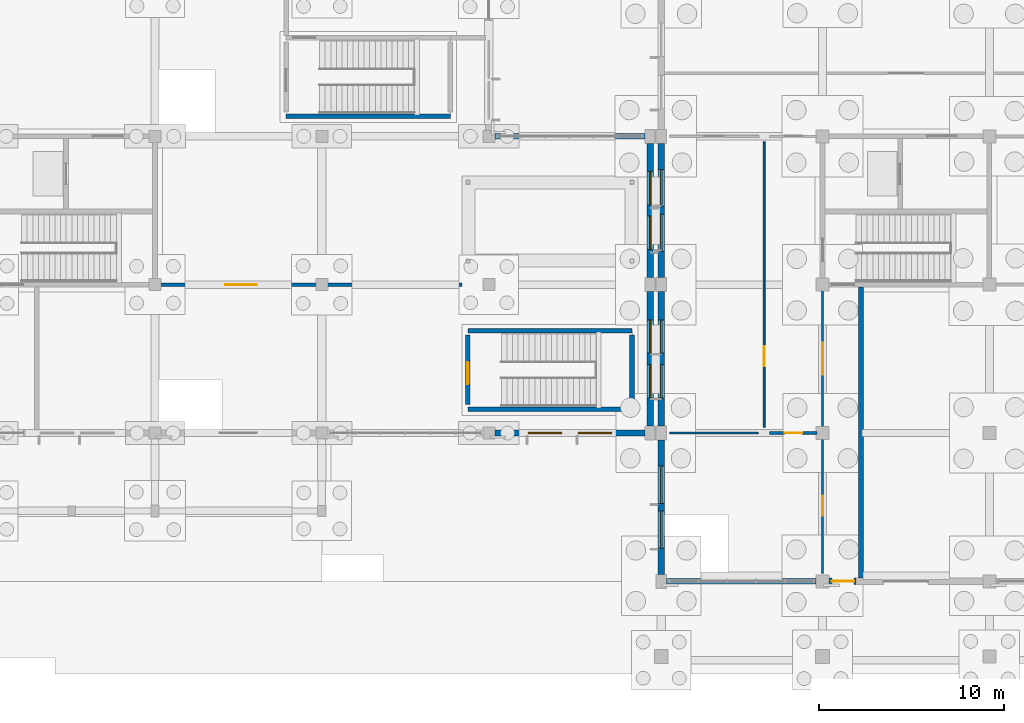
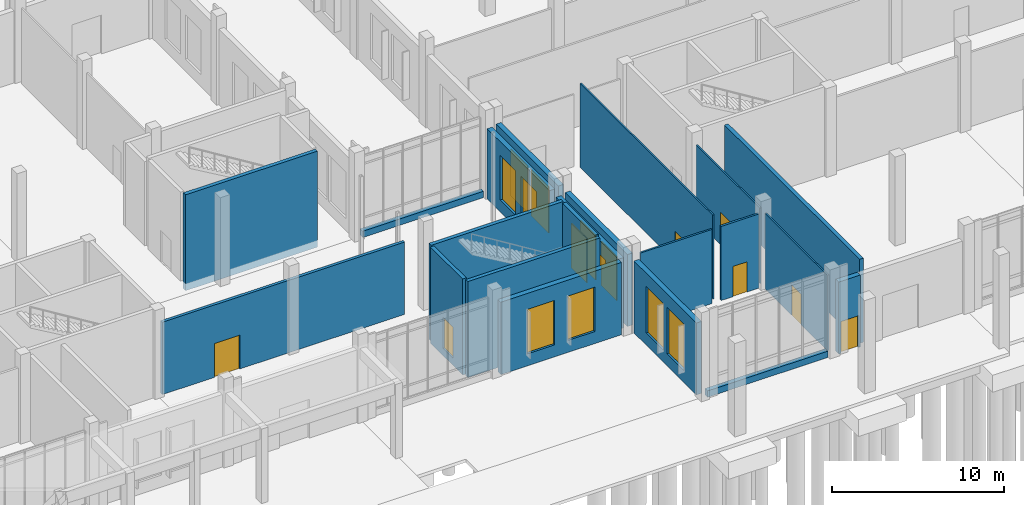
# One storey, part 64 of 99: 21 walls, 12 windows, 7 doors, 19 openings.
"""IFC4 building model written with IfcOpenShell, lengths in metres."""

from ifc_helpers import new_model, si_unit, direction, frame, frame_2d, origin, place, context, subcontext, project, spatial, rectangle, extrude, material, layer, layer_set, type_object, element, fill, save


model = new_model("IFC4")

# Units and contexts
model_context = context("Model", 3, precision=1e-05, world=origin(), true_north=direction((0.0, 1.0)))
body_context = subcontext(model_context, "Body", "Model", "MODEL_VIEW")
ifc_project = project(units=[si_unit("LENGTHUNIT", "METRE"), si_unit("AREAUNIT", "SQUARE_METRE"), si_unit("VOLUMEUNIT", "CUBIC_METRE"), si_unit("PLANEANGLEUNIT", "RADIAN"), si_unit("MASSUNIT", "GRAM", prefix="KILO")], contexts=[model_context])

# Site, building, storey
site_placement = place(None, origin())
site = spatial("IfcSite", under=ifc_project, at=site_placement, CompositionType="ELEMENT")
building_placement = place(site_placement, origin())
building = spatial("IfcBuilding", under=site, at=building_placement, Name="Zacnel Wholesale Market", CompositionType="ELEMENT")
storey_placement = place(building_placement, origin())
storey = spatial("IfcBuildingStorey", under=building, at=storey_placement, Name="L01", CompositionType="ELEMENT", Elevation=0.0)

# Wall, opening, door
ifc_material_1 = material(Name="PIR insulated cold-store panel")
ifc_layer_1 = layer(ifc_material_1, 0.195068359375)
ifc_layer_set_1 = layer_set([ifc_layer_1], Name="PIR insulated cold-store panel")
wall_type_1 = type_object("IfcWallType", Name="WL-COLD-INT195", PredefinedType="STANDARD", material=ifc_layer_set_1)
wall_1_placement = place(storey_placement, frame((117.300048828125, 16.0, 0.0), z_axis=(0.0, 0.0, 1.0), x_axis=(1.0, 0.0, 0.0)))
wall_1 = element("IfcWall", 1, at=wall_1_placement, inside=storey, type_object=wall_type_1, Name="Interior partition L01-0026", PredefinedType="STANDARD", context=body_context, shape_type="SweptSolid", body=[
    extrude(rectangle(XDim=16.25, YDim=0.195068359375, at=frame_2d((8.125, 0.0))), origin(), (0.0, 0.0, 1.0), 5.1298828125),
])
opening_1_placement = place(wall_1_placement, frame((3.5, 0.0, 0.0)))
opening_1 = element("IfcOpeningElement", 2, at=opening_1_placement, cuts=wall_1, Name="Opening CD-02", PredefinedType="OPENING", context=body_context, shape_type="SweptSolid", body=[
    extrude(rectangle(XDim=1.699951171875, YDim=2.39990234375, at=frame_2d((0.85009765625, 1.199951171875))), frame((0.0, 0.107421875, 0.0), z_axis=(0.0, -1.0, 0.0), x_axis=(1.0, 0.0, 0.0)), (0.0, 0.0, 1.0), 0.215087890625),
])
ifc_material_2 = material(Name="Galvanized steel", Category="steel")
door_type_1 = type_object("IfcDoorType", Name="DR-COLD-SLIDE-1700", OperationType="NOTDEFINED", PredefinedType="DOOR", material=ifc_material_2)
door_1_placement = place(opening_1_placement, origin())
door_1 = element("IfcDoor", 3, at=door_1_placement, inside=storey, type_object=door_type_1, Name="Interior door L01-0022", OperationType="SLIDING_TO_LEFT", OverallHeight=2.39990234375, OverallWidth=1.699951171875, PredefinedType="DOOR", context=body_context, shape_type="SweptSolid", body=[
    extrude(rectangle(XDim=1.699951171875, YDim=2.39990234375, at=frame_2d((0.85009765625, 1.199951171875))), frame((0.0, 0.02490234375, 0.0), z_axis=(0.0, -1.0, 0.0), x_axis=(1.0, 0.0, 0.0)), (0.0, 0.0, 1.0), 0.050048828125),
])
fill(opening_1, door_1)

# Walls
ifc_material_3 = material(Name="Concrete C40/50", Category="concrete")
ifc_layer_2 = layer(ifc_material_3, 0.2548828125)
ifc_layer_set_2 = layer_set([ifc_layer_2], Name="Concrete C40/50")
wall_type_2 = type_object("IfcWallType", Name="WL-COMP-FW250", PredefinedType="STANDARD", material=ifc_layer_set_2)
wall_2_placement = place(storey_placement, frame((155.077392578125, 0.169921875, 0.0), z_axis=(0.0, 0.0, 1.0), x_axis=(0.0, 1.0, 0.0)))
element("IfcWall", 4, at=wall_2_placement, inside=storey, type_object=wall_type_2, Name="Exit passage C1 fire barrier wall 1", PredefinedType="STANDARD", context=body_context, shape_type="SweptSolid", body=[
    extrude(rectangle(XDim=15.705078125, YDim=0.2548828125, at=frame_2d((7.8525390625, 0.0))), origin(), (0.0, 0.0, 1.0), 5.949951171875),
])
ifc_material_4 = material(Name="Concrete C40/50", Category="concrete")
ifc_layer_3 = layer(ifc_material_4, 0.25)
ifc_layer_set_3 = layer_set([ifc_layer_3], Name="Concrete C40/50")
wall_type_3 = type_object("IfcWallType", Name="WL-CORE-SW250", PredefinedType="SOLIDWALL", material=ifc_layer_set_3)
for number, where, z_axis, x_axis, name in (
    (5, (124.074951171875, 25.074951171875, -0.5), (0.0, 0.0, 1.0), (1.0, 0.0, 0.0), "Stair ST-19 south enclosure wall L01"),
    (6, (133.875, 9.27490234375, -0.5), (0.0, 0.0, 1.0), (1.0, 0.0, 0.0), "Stair ST-24 south enclosure wall L01"),
    (7, (133.875, 13.52490234375, -0.5), (0.0, 0.0, 1.0), (1.0, 0.0, 0.0), "Stair ST-24 north enclosure wall L01"),
):
    element("IfcWall", number, at=place(storey_placement, frame(where, z_axis=z_axis, x_axis=x_axis)), inside=storey, type_object=wall_type_3, Name=name, PredefinedType="SOLIDWALL", context=body_context, shape_type="SweptSolid", body=[
        extrude(rectangle(XDim=8.85009765625, YDim=0.25, at=frame_2d((4.425048828125, 0.0))), origin(), (0.0, 0.0, 1.0), 6.800048828125),
    ])

# Wall, opening, door
wall_3_placement = place(storey_placement, frame((133.875, 9.52490234375, -0.5), z_axis=(0.0, 0.0, 1.0), x_axis=(0.0, 1.0, 0.0)))
wall_3 = element("IfcWall", 8, at=wall_3_placement, inside=storey, type_object=wall_type_3, Name="Stair ST-24 west enclosure wall L01", PredefinedType="SOLIDWALL", context=body_context, shape_type="SweptSolid", body=[
    extrude(rectangle(XDim=3.75, YDim=0.25, at=frame_2d((1.875, 0.0))), origin(), (0.0, 0.0, 1.0), 6.800048828125),
])
opening_2_placement = place(wall_3_placement, frame((1.10009765625, 0.0, 0.5)))
opening_2 = element("IfcOpeningElement", 9, at=opening_2_placement, cuts=wall_3, Name="Opening FD-01", PredefinedType="OPENING", context=body_context, shape_type="SweptSolid", body=[
    extrude(rectangle(XDim=1.199951171875, YDim=2.199951171875, at=frame_2d((0.60009765625, 1.10009765625))), frame((0.0, 0.135009765625, 0.0), z_axis=(0.0, -1.0, 0.0), x_axis=(1.0, 0.0, 0.0)), (0.0, 0.0, 1.0), 0.27001953125),
])
ifc_material_5 = material(Name="Galvanized steel", Category="steel")
door_type_2 = type_object("IfcDoorType", Name="DR-FIRE-STAIR-1200", OperationType="NOTDEFINED", PredefinedType="DOOR", material=ifc_material_5)
door_2_placement = place(opening_2_placement, origin())
door_2 = element("IfcDoor", 10, at=door_2_placement, inside=storey, type_object=door_type_2, Name="Stair ST-24 fire door L01", OperationType="SINGLE_SWING_RIGHT", OverallHeight=2.199951171875, OverallWidth=1.199951171875, PredefinedType="DOOR", context=body_context, shape_type="SweptSolid", body=[
    extrude(rectangle(XDim=1.199951171875, YDim=2.199951171875, at=frame_2d((0.60009765625, 1.10009765625))), frame((0.0, 0.02490234375, 0.0), z_axis=(0.0, -1.0, 0.0), x_axis=(1.0, 0.0, 0.0)), (0.0, 0.0, 1.0), 0.050048828125),
])
fill(opening_2, door_2)

# Walls
wall_4_placement = place(storey_placement, frame((142.72509765625, 9.52490234375, -0.5), z_axis=(0.0, 0.0, 1.0), x_axis=(0.0, 1.0, 0.0)))
element("IfcWall", 11, at=wall_4_placement, inside=storey, type_object=wall_type_3, Name="Stair ST-24 east enclosure wall L01", PredefinedType="SOLIDWALL", context=body_context, shape_type="SweptSolid", body=[
    extrude(rectangle(XDim=3.75, YDim=0.25, at=frame_2d((1.875, 0.0))), origin(), (0.0, 0.0, 1.0), 6.800048828125),
])
ifc_material_6 = material(Name="Precast concrete C40/50 (Cancun limestone aggregate)", Category="masonry")
ifc_layer_4 = layer(ifc_material_6, 0.300048828125)
ifc_layer_set_4 = layer_set([ifc_layer_4], Name="Precast concrete C40/50 (Cancun limestone aggregate)")
wall_type_4 = type_object("IfcWallType", Name="WL-EXT-LIME-300", PredefinedType="SOLIDWALL", material=ifc_layer_set_4)
wall_5_placement = place(storey_placement, frame((135.324951171875, 24.0, 0.0), z_axis=(0.0, 0.0, 1.0), x_axis=(1.0, 0.0, 0.0)))
element("IfcWall", 12, at=wall_5_placement, inside=storey, type_object=wall_type_4, Name="Curtain-wall limestone plinth L01-0004", PredefinedType="SOLIDWALL", context=body_context, shape_type="SweptSolid", body=[
    extrude(rectangle(XDim=8.10009765625, YDim=0.300048828125, at=frame_2d((4.050048828125, 0.0))), origin(), (0.0, 0.0, 1.0), 0.449951171875),
])
wall_6_placement = place(storey_placement, frame((144.574951171875, 0.0, 0.0), z_axis=(0.0, 0.0, 1.0), x_axis=(1.0, 0.0, 0.0)))
element("IfcWall", 13, at=wall_6_placement, inside=storey, type_object=wall_type_4, Name="Curtain-wall limestone plinth L01-0005", PredefinedType="SOLIDWALL", context=body_context, shape_type="SweptSolid", body=[
    extrude(rectangle(XDim=8.074951171875, YDim=0.300048828125, at=frame_2d((4.03759765625, 0.0))), origin(), (0.0, 0.0, 1.0), 0.449951171875),
])

# Wall, openings, windows
ifc_material_7 = material(Name="Precast concrete C40/50 (Cancun limestone aggregate)", Category="masonry")
ifc_layer_5 = layer(ifc_material_7, 0.340087890625)
ifc_layer_set_5 = layer_set([ifc_layer_5], Name="Precast concrete C40/50 (Cancun limestone aggregate)")
wall_type_5 = type_object("IfcWallType", Name="WL-EXT-LIME-340", PredefinedType="SOLIDWALL", material=ifc_layer_set_5)
wall_7_placement = place(storey_placement, frame((135.324951171875, 8.0, 0.0), z_axis=(0.0, 0.0, 1.0), x_axis=(1.0, 0.0, 0.0)))
wall_7 = element("IfcWall", 14, at=wall_7_placement, inside=storey, type_object=wall_type_5, Name="Exterior wall L01-0085", PredefinedType="SOLIDWALL", context=body_context, shape_type="SweptSolid", body=[
    extrude(rectangle(XDim=8.10009765625, YDim=0.340087890625, at=frame_2d((4.050048828125, 0.0))), origin(), (0.0, 0.0, 1.0), 5.1298828125),
])
opening_3_placement = place(wall_7_placement, frame((1.800048828125, 0.0, 0.85009765625)))
opening_3 = element("IfcOpeningElement", 15, at=opening_3_placement, cuts=wall_7, Name="Opening W-03", PredefinedType="OPENING", context=body_context, shape_type="SweptSolid", body=[
    extrude(rectangle(XDim=1.800048828125, YDim=3.14990234375, at=frame_2d((0.89990234375, 1.574951171875))), frame((0.0, 0.179931640625, 0.0), z_axis=(0.0, -1.0, 0.0), x_axis=(1.0, 0.0, 0.0)), (0.0, 0.0, 1.0), 0.360107421875),
])
opening_4_placement = place(wall_7_placement, frame((4.5, 0.0, 0.85009765625)))
opening_4 = element("IfcOpeningElement", 16, at=opening_4_placement, cuts=wall_7, Name="Opening W-03", PredefinedType="OPENING", context=body_context, shape_type="SweptSolid", body=[
    extrude(rectangle(XDim=1.800048828125, YDim=3.14990234375, at=frame_2d((0.89990234375, 1.574951171875))), frame((0.0, 0.179931640625, 0.0), z_axis=(0.0, -1.0, 0.0), x_axis=(1.0, 0.0, 0.0)), (0.0, 0.0, 1.0), 0.360107421875),
])
ifc_material_8 = material(Name="Laminated hurricane-impact low-E insulated glass", Category="glass")
window_type_1 = type_object("IfcWindowType", Name="WIN-DEC-1800X3150", PartitioningType="DOUBLE_PANEL_VERTICAL", PredefinedType="WINDOW", material=ifc_material_8)
window_1_placement = place(opening_3_placement, origin())
window_1 = element("IfcWindow", 17, at=window_1_placement, inside=storey, type_object=window_type_1, Name="Window L01-0066", OverallHeight=3.14990234375, OverallWidth=1.800048828125, PartitioningType="DOUBLE_PANEL_VERTICAL", PredefinedType="WINDOW", context=body_context, shape_type="SweptSolid", body=[
    extrude(rectangle(XDim=1.800048828125, YDim=3.14990234375, at=frame_2d((0.89990234375, 1.574951171875))), frame((0.0, 0.030029296875, 0.0), z_axis=(0.0, -1.0, 0.0), x_axis=(1.0, 0.0, 0.0)), (0.0, 0.0, 1.0), 0.06005859375),
])
fill(opening_3, window_1)
window_2_placement = place(opening_4_placement, origin())
window_2 = element("IfcWindow", 18, at=window_2_placement, inside=storey, type_object=window_type_1, Name="Window L01-0067", OverallHeight=3.14990234375, OverallWidth=1.800048828125, PartitioningType="DOUBLE_PANEL_VERTICAL", PredefinedType="WINDOW", context=body_context, shape_type="SweptSolid", body=[
    extrude(rectangle(XDim=1.800048828125, YDim=3.14990234375, at=frame_2d((0.89990234375, 1.574951171875))), frame((0.0, 0.030029296875, 0.0), z_axis=(0.0, -1.0, 0.0), x_axis=(1.0, 0.0, 0.0)), (0.0, 0.0, 1.0), 0.06005859375),
])
fill(opening_4, window_2)

wall_8_placement = place(storey_placement, frame((143.699951171875, 8.375, 0.0), z_axis=(0.0, 0.0, 1.0), x_axis=(0.0, 1.0, 0.0)))
wall_8 = element("IfcWall", 19, at=wall_8_placement, inside=storey, type_object=wall_type_5, Name="Exterior wall L01-0086", PredefinedType="SOLIDWALL", context=body_context, shape_type="SweptSolid", body=[
    extrude(rectangle(XDim=7.25, YDim=0.340087890625, at=frame_2d((3.625, 0.0))), origin(), (0.0, 0.0, 1.0), 4.97998046875),
])
opening_5_placement = place(wall_8_placement, frame((1.51708984375, 0.0, 0.85009765625)))
opening_5 = element("IfcOpeningElement", 20, at=opening_5_placement, cuts=wall_8, Name="Opening W-03", PredefinedType="OPENING", context=body_context, shape_type="SweptSolid", body=[
    extrude(rectangle(XDim=1.800048828125, YDim=3.14990234375, at=frame_2d((0.89990234375, 1.574951171875))), frame((0.0, 0.179931640625, 0.0), z_axis=(0.0, -1.0, 0.0), x_axis=(1.0, 0.0, 0.0)), (0.0, 0.0, 1.0), 0.360107421875),
])
opening_6_placement = place(wall_8_placement, frame((3.93310546875, 0.0, 0.85009765625)))
opening_6 = element("IfcOpeningElement", 21, at=opening_6_placement, cuts=wall_8, Name="Opening W-03", PredefinedType="OPENING", context=body_context, shape_type="SweptSolid", body=[
    extrude(rectangle(XDim=1.800048828125, YDim=3.14990234375, at=frame_2d((0.89990234375, 1.574951171875))), frame((0.0, 0.179931640625, 0.0), z_axis=(0.0, -1.0, 0.0), x_axis=(1.0, 0.0, 0.0)), (0.0, 0.0, 1.0), 0.360107421875),
])
window_3_placement = place(opening_5_placement, origin())
window_3 = element("IfcWindow", 22, at=window_3_placement, inside=storey, type_object=window_type_1, Name="Window L01-0068", OverallHeight=3.14990234375, OverallWidth=1.800048828125, PartitioningType="DOUBLE_PANEL_VERTICAL", PredefinedType="WINDOW", context=body_context, shape_type="SweptSolid", body=[
    extrude(rectangle(XDim=1.800048828125, YDim=3.14990234375, at=frame_2d((0.89990234375, 1.574951171875))), frame((0.0, 0.030029296875, 0.0), z_axis=(0.0, -1.0, 0.0), x_axis=(1.0, 0.0, 0.0)), (0.0, 0.0, 1.0), 0.06005859375),
])
fill(opening_5, window_3)
window_4_placement = place(opening_6_placement, origin())
window_4 = element("IfcWindow", 23, at=window_4_placement, inside=storey, type_object=window_type_1, Name="Window L01-0069", OverallHeight=3.14990234375, OverallWidth=1.800048828125, PartitioningType="DOUBLE_PANEL_VERTICAL", PredefinedType="WINDOW", context=body_context, shape_type="SweptSolid", body=[
    extrude(rectangle(XDim=1.800048828125, YDim=3.14990234375, at=frame_2d((0.89990234375, 1.574951171875))), frame((0.0, 0.030029296875, 0.0), z_axis=(0.0, -1.0, 0.0), x_axis=(1.0, 0.0, 0.0)), (0.0, 0.0, 1.0), 0.06005859375),
])
fill(opening_6, window_4)

wall_9_placement = place(storey_placement, frame((143.699951171875, 16.375, 0.0), z_axis=(0.0, 0.0, 1.0), x_axis=(0.0, 1.0, 0.0)))
wall_9 = element("IfcWall", 24, at=wall_9_placement, inside=storey, type_object=wall_type_5, Name="Exterior wall L01-0087", PredefinedType="SOLIDWALL", context=body_context, shape_type="SweptSolid", body=[
    extrude(rectangle(XDim=7.25, YDim=0.340087890625, at=frame_2d((3.625, 0.0))), origin(), (0.0, 0.0, 1.0), 4.97998046875),
])
opening_7_placement = place(wall_9_placement, frame((1.51708984375, 0.0, 0.85009765625)))
opening_7 = element("IfcOpeningElement", 25, at=opening_7_placement, cuts=wall_9, Name="Opening W-03", PredefinedType="OPENING", context=body_context, shape_type="SweptSolid", body=[
    extrude(rectangle(XDim=1.800048828125, YDim=3.14990234375, at=frame_2d((0.89990234375, 1.574951171875))), frame((0.0, 0.179931640625, 0.0), z_axis=(0.0, -1.0, 0.0), x_axis=(1.0, 0.0, 0.0)), (0.0, 0.0, 1.0), 0.360107421875),
])
opening_8_placement = place(wall_9_placement, frame((3.93310546875, 0.0, 0.85009765625)))
opening_8 = element("IfcOpeningElement", 26, at=opening_8_placement, cuts=wall_9, Name="Opening W-03", PredefinedType="OPENING", context=body_context, shape_type="SweptSolid", body=[
    extrude(rectangle(XDim=1.800048828125, YDim=3.14990234375, at=frame_2d((0.89990234375, 1.574951171875))), frame((0.0, 0.179931640625, 0.0), z_axis=(0.0, -1.0, 0.0), x_axis=(1.0, 0.0, 0.0)), (0.0, 0.0, 1.0), 0.360107421875),
])
window_5_placement = place(opening_7_placement, origin())
window_5 = element("IfcWindow", 27, at=window_5_placement, inside=storey, type_object=window_type_1, Name="Window L01-0070", OverallHeight=3.14990234375, OverallWidth=1.800048828125, PartitioningType="DOUBLE_PANEL_VERTICAL", PredefinedType="WINDOW", context=body_context, shape_type="SweptSolid", body=[
    extrude(rectangle(XDim=1.800048828125, YDim=3.14990234375, at=frame_2d((0.89990234375, 1.574951171875))), frame((0.0, 0.030029296875, 0.0), z_axis=(0.0, -1.0, 0.0), x_axis=(1.0, 0.0, 0.0)), (0.0, 0.0, 1.0), 0.06005859375),
])
fill(opening_7, window_5)
window_6_placement = place(opening_8_placement, origin())
window_6 = element("IfcWindow", 28, at=window_6_placement, inside=storey, type_object=window_type_1, Name="Window L01-0071", OverallHeight=3.14990234375, OverallWidth=1.800048828125, PartitioningType="DOUBLE_PANEL_VERTICAL", PredefinedType="WINDOW", context=body_context, shape_type="SweptSolid", body=[
    extrude(rectangle(XDim=1.800048828125, YDim=3.14990234375, at=frame_2d((0.89990234375, 1.574951171875))), frame((0.0, 0.030029296875, 0.0), z_axis=(0.0, -1.0, 0.0), x_axis=(1.0, 0.0, 0.0)), (0.0, 0.0, 1.0), 0.06005859375),
])
fill(opening_8, window_6)

# Wall, opening, door
wall_10_placement = place(storey_placement, frame((154.800048828125, 0.0, 0.0), z_axis=(0.0, 0.0, 1.0), x_axis=(-1.0, 0.0, 0.0)))
wall_10 = element("IfcWall", 29, at=wall_10_placement, inside=storey, type_object=wall_type_5, Name="Exterior wall L01-0100", PredefinedType="SOLIDWALL", context=body_context, shape_type="SweptSolid", body=[
    extrude(rectangle(XDim=1.449951171875, YDim=0.340087890625, at=frame_2d((0.72509765625, 0.0))), origin(), (0.0, 0.0, 1.0), 5.10009765625),
])
opening_9_placement = place(wall_10_placement, frame((0.10009765625, 0.0, 0.0)))
opening_9 = element("IfcOpeningElement", 30, at=opening_9_placement, cuts=wall_10, Name="Opening ED-04", PredefinedType="OPENING", context=body_context, shape_type="SweptSolid", body=[
    extrude(rectangle(XDim=1.199951171875, YDim=2.25, at=frame_2d((0.60009765625, 1.125))), frame((0.0, 0.179931640625, 0.0), z_axis=(0.0, -1.0, 0.0), x_axis=(1.0, 0.0, 0.0)), (0.0, 0.0, 1.0), 0.360107421875),
])
ifc_material_9 = material(Name="Galvanized steel S355", Category="steel")
door_type_3 = type_object("IfcDoorType", Name="DR-EXT-EXIT-1200", OperationType="NOTDEFINED", PredefinedType="DOOR", material=ifc_material_9)
door_3_placement = place(opening_9_placement, origin())
door_3 = element("IfcDoor", 31, at=door_3_placement, inside=storey, type_object=door_type_3, Name="Final exit door C1 to the south", OperationType="SINGLE_SWING_LEFT", OverallHeight=2.25, OverallWidth=1.199951171875, PredefinedType="DOOR", context=body_context, shape_type="SweptSolid", body=[
    extrude(rectangle(XDim=1.199951171875, YDim=2.25, at=frame_2d((0.60009765625, 1.125))), frame((0.0, 0.02490234375, 0.0), z_axis=(0.0, -1.0, 0.0), x_axis=(1.0, 0.0, 0.0)), (0.0, 0.0, 1.0), 0.050048828125),
])
fill(opening_9, door_3)

# Wall, openings, windows
wall_11_placement = place(storey_placement, frame((144.300048828125, 0.375, 0.0), z_axis=(0.0, 0.0, 1.0), x_axis=(0.0, 1.0, 0.0)))
wall_11 = element("IfcWall", 32, at=wall_11_placement, inside=storey, type_object=wall_type_5, Name="Exterior wall L01-0112", PredefinedType="SOLIDWALL", context=body_context, shape_type="SweptSolid", body=[
    extrude(rectangle(XDim=7.25, YDim=0.340087890625, at=frame_2d((3.625, 0.0))), origin(), (0.0, 0.0, 1.0), 5.10009765625),
])
opening_10_placement = place(wall_11_placement, frame((1.4169921875, 0.0, 0.85009765625)))
opening_10 = element("IfcOpeningElement", 33, at=opening_10_placement, cuts=wall_11, Name="Opening W-02", PredefinedType="OPENING", context=body_context, shape_type="SweptSolid", body=[
    extrude(rectangle(XDim=2.0, YDim=3.300048828125, at=frame_2d((1.0, 1.64990234375))), frame((0.0, 0.179931640625, 0.0), z_axis=(0.0, -1.0, 0.0), x_axis=(1.0, 0.0, 0.0)), (0.0, 0.0, 1.0), 0.360107421875),
])
opening_11_placement = place(wall_11_placement, frame((3.8330078125, 0.0, 0.85009765625)))
opening_11 = element("IfcOpeningElement", 34, at=opening_11_placement, cuts=wall_11, Name="Opening W-02", PredefinedType="OPENING", context=body_context, shape_type="SweptSolid", body=[
    extrude(rectangle(XDim=2.0, YDim=3.300048828125, at=frame_2d((1.0, 1.64990234375))), frame((0.0, 0.179931640625, 0.0), z_axis=(0.0, -1.0, 0.0), x_axis=(1.0, 0.0, 0.0)), (0.0, 0.0, 1.0), 0.360107421875),
])
ifc_material_10 = material(Name="Laminated hurricane-impact low-E insulated glass", Category="glass")
window_type_2 = type_object("IfcWindowType", Name="WIN-DEC-2000X3300", PartitioningType="DOUBLE_PANEL_VERTICAL", PredefinedType="WINDOW", material=ifc_material_10)
window_7_placement = place(opening_10_placement, origin())
window_7 = element("IfcWindow", 35, at=window_7_placement, inside=storey, type_object=window_type_2, Name="Window L01-0106", OverallHeight=3.300048828125, OverallWidth=2.0, PartitioningType="DOUBLE_PANEL_VERTICAL", PredefinedType="WINDOW", context=body_context, shape_type="SweptSolid", body=[
    extrude(rectangle(XDim=2.0, YDim=3.300048828125, at=frame_2d((1.0, 1.64990234375))), frame((0.0, 0.030029296875, 0.0), z_axis=(0.0, -1.0, 0.0), x_axis=(1.0, 0.0, 0.0)), (0.0, 0.0, 1.0), 0.06005859375),
])
fill(opening_10, window_7)
window_8_placement = place(opening_11_placement, origin())
window_8 = element("IfcWindow", 36, at=window_8_placement, inside=storey, type_object=window_type_2, Name="Window L01-0107", OverallHeight=3.300048828125, OverallWidth=2.0, PartitioningType="DOUBLE_PANEL_VERTICAL", PredefinedType="WINDOW", context=body_context, shape_type="SweptSolid", body=[
    extrude(rectangle(XDim=2.0, YDim=3.300048828125, at=frame_2d((1.0, 1.64990234375))), frame((0.0, 0.030029296875, 0.0), z_axis=(0.0, -1.0, 0.0), x_axis=(1.0, 0.0, 0.0)), (0.0, 0.0, 1.0), 0.06005859375),
])
fill(opening_11, window_8)

wall_12_placement = place(storey_placement, frame((144.300048828125, 8.375, 0.0), z_axis=(0.0, 0.0, 1.0), x_axis=(0.0, 1.0, 0.0)))
wall_12 = element("IfcWall", 37, at=wall_12_placement, inside=storey, type_object=wall_type_5, Name="Exterior wall L01-0113", PredefinedType="SOLIDWALL", context=body_context, shape_type="SweptSolid", body=[
    extrude(rectangle(XDim=7.25, YDim=0.340087890625, at=frame_2d((3.625, 0.0))), origin(), (0.0, 0.0, 1.0), 5.10009765625),
])
opening_12_placement = place(wall_12_placement, frame((1.51708984375, 0.0, 0.85009765625)))
opening_12 = element("IfcOpeningElement", 38, at=opening_12_placement, cuts=wall_12, Name="Opening W-03", PredefinedType="OPENING", context=body_context, shape_type="SweptSolid", body=[
    extrude(rectangle(XDim=1.800048828125, YDim=3.14990234375, at=frame_2d((0.89990234375, 1.574951171875))), frame((0.0, 0.179931640625, 0.0), z_axis=(0.0, -1.0, 0.0), x_axis=(1.0, 0.0, 0.0)), (0.0, 0.0, 1.0), 0.360107421875),
])
opening_13_placement = place(wall_12_placement, frame((3.93310546875, 0.0, 0.85009765625)))
opening_13 = element("IfcOpeningElement", 39, at=opening_13_placement, cuts=wall_12, Name="Opening W-03", PredefinedType="OPENING", context=body_context, shape_type="SweptSolid", body=[
    extrude(rectangle(XDim=1.800048828125, YDim=3.14990234375, at=frame_2d((0.89990234375, 1.574951171875))), frame((0.0, 0.179931640625, 0.0), z_axis=(0.0, -1.0, 0.0), x_axis=(1.0, 0.0, 0.0)), (0.0, 0.0, 1.0), 0.360107421875),
])
window_9_placement = place(opening_12_placement, origin())
window_9 = element("IfcWindow", 40, at=window_9_placement, inside=storey, type_object=window_type_1, Name="Window L01-0108", OverallHeight=3.14990234375, OverallWidth=1.800048828125, PartitioningType="DOUBLE_PANEL_VERTICAL", PredefinedType="WINDOW", context=body_context, shape_type="SweptSolid", body=[
    extrude(rectangle(XDim=1.800048828125, YDim=3.14990234375, at=frame_2d((0.89990234375, 1.574951171875))), frame((0.0, 0.030029296875, 0.0), z_axis=(0.0, -1.0, 0.0), x_axis=(1.0, 0.0, 0.0)), (0.0, 0.0, 1.0), 0.06005859375),
])
fill(opening_12, window_9)
window_10_placement = place(opening_13_placement, origin())
window_10 = element("IfcWindow", 41, at=window_10_placement, inside=storey, type_object=window_type_1, Name="Window L01-0109", OverallHeight=3.14990234375, OverallWidth=1.800048828125, PartitioningType="DOUBLE_PANEL_VERTICAL", PredefinedType="WINDOW", context=body_context, shape_type="SweptSolid", body=[
    extrude(rectangle(XDim=1.800048828125, YDim=3.14990234375, at=frame_2d((0.89990234375, 1.574951171875))), frame((0.0, 0.030029296875, 0.0), z_axis=(0.0, -1.0, 0.0), x_axis=(1.0, 0.0, 0.0)), (0.0, 0.0, 1.0), 0.06005859375),
])
fill(opening_13, window_10)

wall_13_placement = place(storey_placement, frame((144.300048828125, 16.375, 0.0), z_axis=(0.0, 0.0, 1.0), x_axis=(0.0, 1.0, 0.0)))
wall_13 = element("IfcWall", 42, at=wall_13_placement, inside=storey, type_object=wall_type_5, Name="Exterior wall L01-0114", PredefinedType="SOLIDWALL", context=body_context, shape_type="SweptSolid", body=[
    extrude(rectangle(XDim=7.25, YDim=0.340087890625, at=frame_2d((3.625, 0.0))), origin(), (0.0, 0.0, 1.0), 5.10009765625),
])
opening_14_placement = place(wall_13_placement, frame((1.4169921875, 0.0, 0.85009765625)))
opening_14 = element("IfcOpeningElement", 43, at=opening_14_placement, cuts=wall_13, Name="Opening W-02", PredefinedType="OPENING", context=body_context, shape_type="SweptSolid", body=[
    extrude(rectangle(XDim=2.0, YDim=3.300048828125, at=frame_2d((1.0, 1.64990234375))), frame((0.0, 0.179931640625, 0.0), z_axis=(0.0, -1.0, 0.0), x_axis=(1.0, 0.0, 0.0)), (0.0, 0.0, 1.0), 0.360107421875),
])
opening_15_placement = place(wall_13_placement, frame((3.8330078125, 0.0, 0.85009765625)))
opening_15 = element("IfcOpeningElement", 44, at=opening_15_placement, cuts=wall_13, Name="Opening W-02", PredefinedType="OPENING", context=body_context, shape_type="SweptSolid", body=[
    extrude(rectangle(XDim=2.0, YDim=3.300048828125, at=frame_2d((1.0, 1.64990234375))), frame((0.0, 0.179931640625, 0.0), z_axis=(0.0, -1.0, 0.0), x_axis=(1.0, 0.0, 0.0)), (0.0, 0.0, 1.0), 0.360107421875),
])
window_11_placement = place(opening_14_placement, origin())
window_11 = element("IfcWindow", 45, at=window_11_placement, inside=storey, type_object=window_type_2, Name="Window L01-0110", OverallHeight=3.300048828125, OverallWidth=2.0, PartitioningType="DOUBLE_PANEL_VERTICAL", PredefinedType="WINDOW", context=body_context, shape_type="SweptSolid", body=[
    extrude(rectangle(XDim=2.0, YDim=3.300048828125, at=frame_2d((1.0, 1.64990234375))), frame((0.0, 0.030029296875, 0.0), z_axis=(0.0, -1.0, 0.0), x_axis=(1.0, 0.0, 0.0)), (0.0, 0.0, 1.0), 0.06005859375),
])
fill(opening_14, window_11)
window_12_placement = place(opening_15_placement, origin())
window_12 = element("IfcWindow", 46, at=window_12_placement, inside=storey, type_object=window_type_2, Name="Window L01-0111", OverallHeight=3.300048828125, OverallWidth=2.0, PartitioningType="DOUBLE_PANEL_VERTICAL", PredefinedType="WINDOW", context=body_context, shape_type="SweptSolid", body=[
    extrude(rectangle(XDim=2.0, YDim=3.300048828125, at=frame_2d((1.0, 1.64990234375))), frame((0.0, 0.030029296875, 0.0), z_axis=(0.0, -1.0, 0.0), x_axis=(1.0, 0.0, 0.0)), (0.0, 0.0, 1.0), 0.06005859375),
])
fill(opening_15, window_12)

# Wall, opening, door
ifc_material_11 = material(Name="Moisture-resistant gypsum board partition")
ifc_layer_6 = layer(ifc_material_11, 0.10009765625)
ifc_layer_set_6 = layer_set([ifc_layer_6], Name="Moisture-resistant gypsum board partition")
wall_type_6 = type_object("IfcWallType", Name="WL-PART-GYP100", PredefinedType="PARTITIONING", material=ifc_layer_set_6)
wall_14_placement = place(storey_placement, frame((153.0, 0.449951171875, 0.0), z_axis=(0.0, 0.0, 1.0), x_axis=(0.0, 1.0, 0.0)))
wall_14 = element("IfcWall", 47, at=wall_14_placement, inside=storey, type_object=wall_type_6, Name="Interior partition L01-0032", PredefinedType="PARTITIONING", context=body_context, shape_type="SweptSolid", body=[
    extrude(rectangle(XDim=7.25, YDim=0.10009765625, at=frame_2d((3.625, 0.0))), origin(), (0.0, 0.0, 1.0), 5.35009765625),
])
opening_16_placement = place(wall_14_placement, frame((3.0849609375, 0.0, 0.0)))
opening_16 = element("IfcOpeningElement", 48, at=opening_16_placement, cuts=wall_14, Name="Opening ID-10", PredefinedType="OPENING", context=body_context, shape_type="SweptSolid", body=[
    extrude(rectangle(XDim=1.080078125, YDim=2.14990234375, at=frame_2d((0.5400390625, 1.074951171875))), frame((0.0, 0.06005859375, 0.0), z_axis=(0.0, -1.0, 0.0), x_axis=(1.0, 0.0, 0.0)), (0.0, 0.0, 1.0), 0.1201171875),
])
ifc_material_12 = material(Name="Galvanized steel", Category="steel")
door_type_4 = type_object("IfcDoorType", Name="DR-STR-SGL-1080", OperationType="NOTDEFINED", PredefinedType="DOOR", material=ifc_material_12)
door_4_placement = place(opening_16_placement, origin())
door_4 = element("IfcDoor", 49, at=door_4_placement, inside=storey, type_object=door_type_4, Name="Interior door L01-0028", OperationType="SINGLE_SWING_LEFT", OverallHeight=2.14990234375, OverallWidth=1.080078125, PredefinedType="DOOR", context=body_context, shape_type="SweptSolid", body=[
    extrude(rectangle(XDim=1.080078125, YDim=2.14990234375, at=frame_2d((0.5400390625, 1.074951171875))), frame((0.0, 0.02490234375, 0.0), z_axis=(0.0, -1.0, 0.0), x_axis=(1.0, 0.0, 0.0)), (0.0, 0.0, 1.0), 0.050048828125),
])
fill(opening_16, door_4)

wall_15_placement = place(storey_placement, frame((153.0, 8.300048828125, 0.0), z_axis=(0.0, 0.0, 1.0), x_axis=(0.0, 1.0, 0.0)))
wall_15 = element("IfcWall", 50, at=wall_15_placement, inside=storey, type_object=wall_type_6, Name="Interior partition L01-0036", PredefinedType="PARTITIONING", context=body_context, shape_type="SweptSolid", body=[
    extrude(rectangle(XDim=7.39990234375, YDim=0.10009765625, at=frame_2d((3.699951171875, 0.0))), origin(), (0.0, 0.0, 1.0), 5.35009765625),
])
opening_17_placement = place(wall_15_placement, frame((2.830078125, 0.0, 0.0)))
opening_17 = element("IfcOpeningElement", 51, at=opening_17_placement, cuts=wall_15, Name="Opening ID-15", PredefinedType="OPENING", context=body_context, shape_type="SweptSolid", body=[
    extrude(rectangle(XDim=1.739990234375, YDim=2.280029296875, at=frame_2d((0.8701171875, 1.14013671875))), frame((0.0, 0.06005859375, 0.0), z_axis=(0.0, -1.0, 0.0), x_axis=(1.0, 0.0, 0.0)), (0.0, 0.0, 1.0), 0.1201171875),
])
ifc_material_13 = material(Name="Solid-core tropical hardwood door", Category="wood")
door_type_5 = type_object("IfcDoorType", Name="DR-HALL-DBL-1740", OperationType="NOTDEFINED", PredefinedType="DOOR", material=ifc_material_13)
door_5_placement = place(opening_17_placement, origin())
door_5 = element("IfcDoor", 52, at=door_5_placement, inside=storey, type_object=door_type_5, Name="Interior door L01-0031", OperationType="DOUBLE_DOOR_SINGLE_SWING", OverallHeight=2.280029296875, OverallWidth=1.739990234375, PredefinedType="DOOR", context=body_context, shape_type="SweptSolid", body=[
    extrude(rectangle(XDim=1.739990234375, YDim=2.280029296875, at=frame_2d((0.8701171875, 1.14013671875))), frame((0.0, 0.02490234375, 0.0), z_axis=(0.0, -1.0, 0.0), x_axis=(1.0, 0.0, 0.0)), (0.0, 0.0, 1.0), 0.050048828125),
])
fill(opening_17, door_5)

wall_16_placement = place(storey_placement, frame((149.85009765625, 8.300048828125, 0.0), z_axis=(0.0, 0.0, 1.0), x_axis=(0.0, 1.0, 0.0)))
wall_16 = element("IfcWall", 53, at=wall_16_placement, inside=storey, type_object=wall_type_6, Name="Interior partition L01-0052", PredefinedType="PARTITIONING", context=body_context, shape_type="SweptSolid", body=[
    extrude(rectangle(XDim=15.39990234375, YDim=0.10009765625, at=frame_2d((7.699951171875, 0.0))), origin(), (0.0, 0.0, 1.0), 5.949951171875),
])
opening_18_placement = place(wall_16_placement, frame((3.31005859375, 0.0, 0.0)))
opening_18 = element("IfcOpeningElement", 54, at=opening_18_placement, cuts=wall_16, Name="Opening ID-10", PredefinedType="OPENING", context=body_context, shape_type="SweptSolid", body=[
    extrude(rectangle(XDim=1.080078125, YDim=2.14990234375, at=frame_2d((0.5400390625, 1.074951171875))), frame((0.0, 0.06005859375, 0.0), z_axis=(0.0, -1.0, 0.0), x_axis=(1.0, 0.0, 0.0)), (0.0, 0.0, 1.0), 0.1201171875),
])
door_6_placement = place(opening_18_placement, origin())
door_6 = element("IfcDoor", 55, at=door_6_placement, inside=storey, type_object=door_type_4, Name="Interior door L01-0043", OperationType="SINGLE_SWING_RIGHT", OverallHeight=2.14990234375, OverallWidth=1.080078125, PredefinedType="DOOR", context=body_context, shape_type="SweptSolid", body=[
    extrude(rectangle(XDim=1.080078125, YDim=2.14990234375, at=frame_2d((0.5400390625, 1.074951171875))), frame((0.0, 0.02490234375, 0.0), z_axis=(0.0, -1.0, 0.0), x_axis=(1.0, 0.0, 0.0)), (0.0, 0.0, 1.0), 0.050048828125),
])
fill(opening_18, door_6)

# Wall
ifc_material_14 = material(Name="Moisture-resistant gypsum board partition")
ifc_layer_7 = layer(ifc_material_14, 0.125)
ifc_layer_set_7 = layer_set([ifc_layer_7], Name="Moisture-resistant gypsum board partition")
wall_type_7 = type_object("IfcWallType", Name="WL-PART-GYP125", PredefinedType="PARTITIONING", material=ifc_layer_set_7)
wall_17_placement = place(storey_placement, frame((144.75, 8.0, 0.0), z_axis=(0.0, 0.0, 1.0), x_axis=(1.0, 0.0, 0.0)))
element("IfcWall", 56, at=wall_17_placement, inside=storey, type_object=wall_type_7, Name="Interior partition L01-0034", PredefinedType="PARTITIONING", context=body_context, shape_type="SweptSolid", body=[
    extrude(rectangle(XDim=4.800048828125, YDim=0.125, at=frame_2d((2.39990234375, 0.0))), origin(), (0.0, 0.0, 1.0), 5.25),
])

# Wall, opening, door
ifc_material_15 = material(Name="Moisture-resistant gypsum board partition")
ifc_layer_8 = layer(ifc_material_15, 0.139892578125)
ifc_layer_set_8 = layer_set([ifc_layer_8], Name="Moisture-resistant gypsum board partition")
wall_type_8 = type_object("IfcWallType", Name="WL-PART-GYP140", PredefinedType="PARTITIONING", material=ifc_layer_set_8)
wall_18_placement = place(storey_placement, frame((150.14990234375, 8.0, 0.0), z_axis=(0.0, 0.0, 1.0), x_axis=(1.0, 0.0, 0.0)))
wall_18 = element("IfcWall", 57, at=wall_18_placement, inside=storey, type_object=wall_type_8, Name="Interior partition L01-0033", PredefinedType="PARTITIONING", context=body_context, shape_type="SweptSolid", body=[
    extrude(rectangle(XDim=2.550048828125, YDim=0.139892578125, at=frame_2d((1.27490234375, 0.0))), origin(), (0.0, 0.0, 1.0), 5.25),
])
opening_19_placement = place(wall_18_placement, frame((0.804931640625, 0.0, 0.0)))
opening_19 = element("IfcOpeningElement", 58, at=opening_19_placement, cuts=wall_18, Name="Opening ID-11", PredefinedType="OPENING", context=body_context, shape_type="SweptSolid", body=[
    extrude(rectangle(XDim=0.93994140625, YDim=2.139892578125, at=frame_2d((0.469970703125, 1.06982421875))), frame((0.0, 0.079833984375, 0.0), z_axis=(0.0, -1.0, 0.0), x_axis=(1.0, 0.0, 0.0)), (0.0, 0.0, 1.0), 0.159912109375),
])
ifc_material_16 = material(Name="Solid-core tropical hardwood door", Category="wood")
door_type_6 = type_object("IfcDoorType", Name="DR-OFF-SGL-940", OperationType="NOTDEFINED", PredefinedType="DOOR", material=ifc_material_16)
door_7_placement = place(opening_19_placement, origin())
door_7 = element("IfcDoor", 59, at=door_7_placement, inside=storey, type_object=door_type_6, Name="Interior door L01-0029", OperationType="SINGLE_SWING_RIGHT", OverallHeight=2.139892578125, OverallWidth=0.93994140625, PredefinedType="DOOR", context=body_context, shape_type="SweptSolid", body=[
    extrude(rectangle(XDim=0.93994140625, YDim=2.139892578125, at=frame_2d((0.469970703125, 1.06982421875))), frame((0.0, 0.02490234375, 0.0), z_axis=(0.0, -1.0, 0.0), x_axis=(1.0, 0.0, 0.0)), (0.0, 0.0, 1.0), 0.050048828125),
])
fill(opening_19, door_7)

save(model, "model.ifc")
